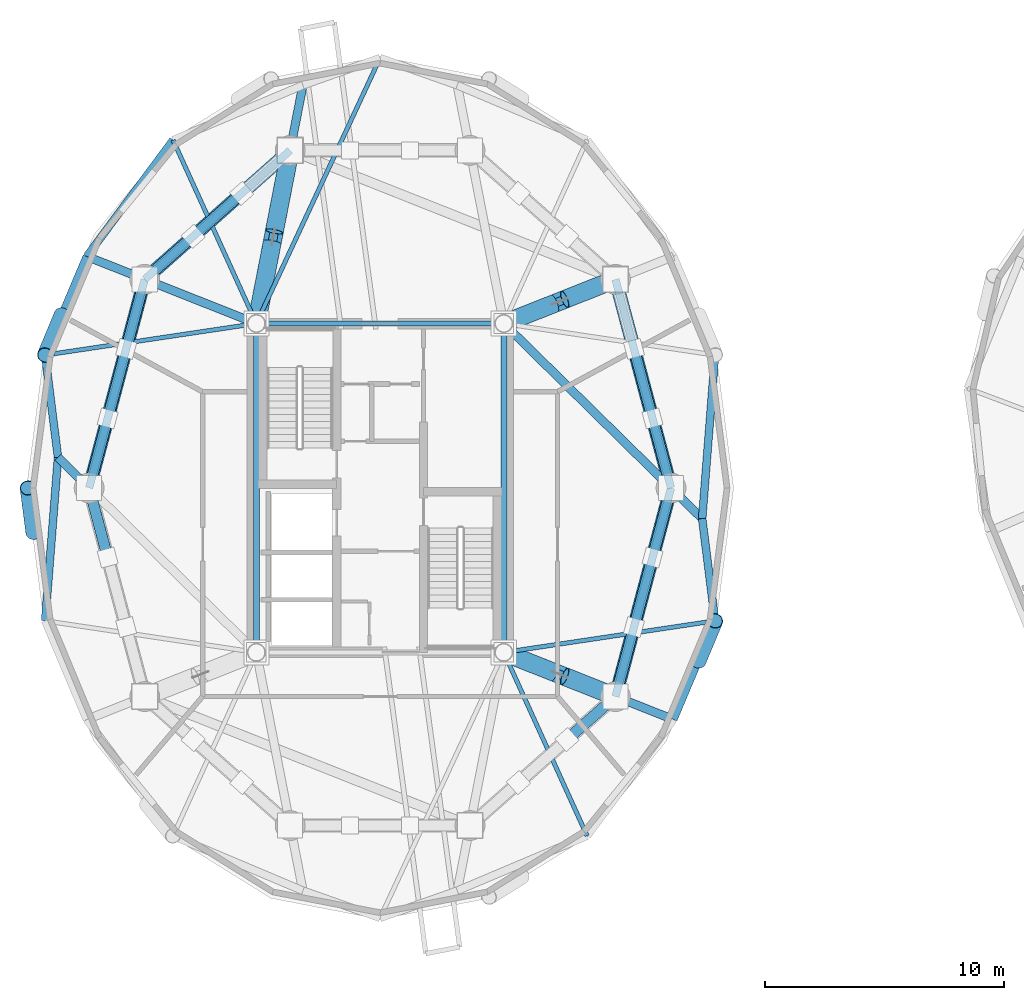
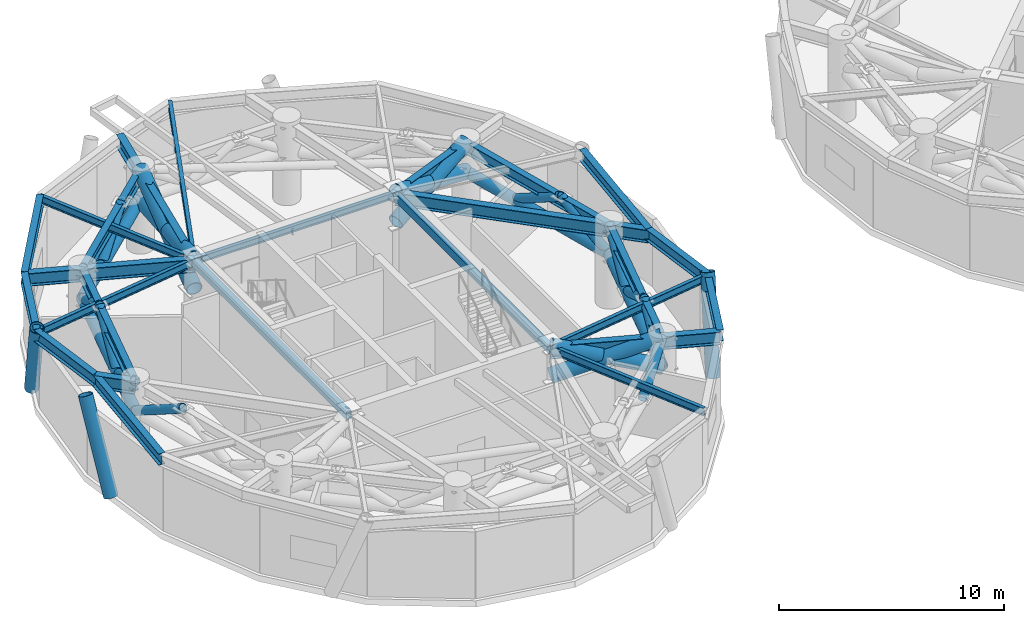
# One storey, part 2 of 16: 28 members, 25 beams.
"""IFC4 building model written with IfcOpenShell, lengths in metres."""

from ifc_helpers import new_model, si_unit, direction, frame, origin, origin_2d, place, context, subcontext, project, spatial, hollow_rectangle, hollow_circle, i_section, extrude, material, material_profile, profile_set, type_object, element, save


model = new_model("IFC4")

# Units and contexts
model_context = context("Model", 3, precision=1e-05, world=origin(), true_north=direction((0.0, 1.0)))
body_context = subcontext(model_context, "Body", "Model", "MODEL_VIEW")
ifc_project = project(units=[si_unit("LENGTHUNIT", "METRE"), si_unit("AREAUNIT", "SQUARE_METRE"), si_unit("VOLUMEUNIT", "CUBIC_METRE"), si_unit("PLANEANGLEUNIT", "RADIAN"), si_unit("MASSUNIT", "GRAM", prefix="KILO")], contexts=[model_context])

# Site, building, storey
site_placement = place(None, origin())
site = spatial("IfcSite", under=ifc_project, at=site_placement, CompositionType="ELEMENT")
building_placement = place(site_placement, origin())
building = spatial("IfcBuilding", under=site, at=building_placement, Name="Cununo Teusaquillo Station Towers", CompositionType="ELEMENT")
storey_placement = place(building_placement, frame((0.0, 0.0, 147.10009765625)))
storey = spatial("IfcBuildingStorey", under=building, at=storey_placement, Name="L46", CompositionType="ELEMENT", Elevation=147.10009765625)

# Beams
ifc_material_1 = material(Name="Steel EN 10025-2 S355J2", Category="steel")
ifc_material_profile_1 = material_profile(ifc_material_1, hollow_rectangle(XDim=0.25, YDim=0.449951171875, WallThickness=0.01611328125, at=origin_2d()), Name="RHS 450x250x16")
ifc_profile_set_1 = profile_set([ifc_material_profile_1], Name="Steel EN 10025-2 S355J2")
beam_type_1 = type_object("IfcBeamType", Name="BM-COUP-1", PredefinedType="USERDEFINED", material=ifc_profile_set_1)
for number, where, z_axis, x_axis, name in (
    (1, (11.324951171875, 17.6201171875, 4.054931640625), (0.0, 1.0, 0.0), (-1.0, 0.0, 0.0), "L46 Tower A Core Beam 1"),
    (2, (21.675048828125, 17.6201171875, 4.054931640625), (0.0, 1.0, 0.0), (-1.0, 0.0, 0.0), "L46 Tower A Core Beam 2"),
):
    element("IfcBeam", number, at=place(storey_placement, frame(where, z_axis=z_axis, x_axis=x_axis)), inside=storey, type_object=beam_type_1, Name=name, ObjectType="COUPLING BEAM", PredefinedType="USERDEFINED", context=body_context, shape_type="SweptSolid", body=[
        extrude(hollow_rectangle(XDim=0.25, YDim=0.449951171875, WallThickness=0.01611328125, at=origin_2d()), origin(), (0.0, 0.0, 1.0), 13.759765625),
    ])
ifc_material_2 = material(Name="Steel ASTM A572 Grade 50", Category="steel")
ifc_material_profile_2 = material_profile(ifc_material_2, i_section(OverallWidth=0.180908203125, OverallDepth=0.4169921875, WebThickness=0.010986328125, FlangeThickness=0.018310546875, FilletRadius=0.012939453125, at=origin_2d()), Name="W16X57")
ifc_profile_set_2 = profile_set([ifc_material_profile_2], Name="Steel ASTM A572 Grade 50")
beam_type_2 = type_object("IfcBeamType", Name="BM-JOIST-1", PredefinedType="JOIST", material=ifc_profile_set_2)
beam_1_placement = place(storey_placement, frame((11.324951171875, 31.3798828125, 4.0712890625), z_axis=(0.422237603969, 0.906485193368, 0.0), x_axis=(-0.906485193368, 0.422237603969, 0.0)))
element("IfcBeam", 3, at=beam_1_placement, inside=storey, type_object=beam_type_2, Name="L46 Tower A Radial Spandrel Joist V05", PredefinedType="JOIST", context=body_context, shape_type="SweptSolid", body=[
    extrude(i_section(OverallWidth=0.180908203125, OverallDepth=0.4169921875, WebThickness=0.010986328125, FlangeThickness=0.018310546875, FilletRadius=0.012939453125, at=origin_2d()), origin(), (0.0, 0.0, 1.0), 12.25634765625),
])
beam_2_placement = place(storey_placement, frame((11.324951171875, 31.3798828125, 4.0712890625), z_axis=(-0.413558514621, 0.910477542274, 0.0), x_axis=(-0.910477542274, -0.413558514621, 0.0)))
element("IfcBeam", 4, at=beam_2_placement, inside=storey, type_object=beam_type_2, Name="L46 Tower A Radial Spandrel Joist V07", PredefinedType="JOIST", context=body_context, shape_type="SweptSolid", body=[
    extrude(i_section(OverallWidth=0.180908203125, OverallDepth=0.4169921875, WebThickness=0.010986328125, FlangeThickness=0.018310546875, FilletRadius=0.012939453125, at=origin_2d()), origin(), (0.0, 0.0, 1.0), 8.428955078125),
])
beam_3_placement = place(storey_placement, frame((11.324951171875, 31.3798828125, 4.0712890625), z_axis=(-0.989018754675, -0.147790063606, 0.0), x_axis=(0.147790063606, -0.989018754675, 0.0)))
element("IfcBeam", 5, at=beam_3_placement, inside=storey, type_object=beam_type_2, Name="L46 Tower A Radial Spandrel Joist V09", PredefinedType="JOIST", context=body_context, shape_type="SweptSolid", body=[
    extrude(i_section(OverallWidth=0.180908203125, OverallDepth=0.4169921875, WebThickness=0.010986328125, FlangeThickness=0.018310546875, FilletRadius=0.012939453125, at=origin_2d()), origin(), (0.0, 0.0, 1.0), 8.93701171875),
])
beam_4_placement = place(storey_placement, frame((21.675048828125, 17.6201171875, 4.0712890625), z_axis=(0.413558514621, -0.910477542274, 0.0), x_axis=(0.910477542274, 0.413558514621, 0.0)))
element("IfcBeam", 6, at=beam_4_placement, inside=storey, type_object=beam_type_2, Name="L46 Tower A Radial Spandrel Joist V17", PredefinedType="JOIST", context=body_context, shape_type="SweptSolid", body=[
    extrude(i_section(OverallWidth=0.180908203125, OverallDepth=0.4169921875, WebThickness=0.010986328125, FlangeThickness=0.018310546875, FilletRadius=0.012939453125, at=origin_2d()), origin(), (0.0, 0.0, 1.0), 8.428955078125),
])
beam_5_placement = place(storey_placement, frame((21.675048828125, 17.6201171875, 4.0712890625), z_axis=(0.989018754675, 0.147790063606, 0.0), x_axis=(-0.147790063606, 0.989018754675, 0.0)))
element("IfcBeam", 7, at=beam_5_placement, inside=storey, type_object=beam_type_2, Name="L46 Tower A Radial Spandrel Joist V19", PredefinedType="JOIST", context=body_context, shape_type="SweptSolid", body=[
    extrude(i_section(OverallWidth=0.180908203125, OverallDepth=0.4169921875, WebThickness=0.010986328125, FlangeThickness=0.018310546875, FilletRadius=0.012939453125, at=origin_2d()), origin(), (0.0, 0.0, 1.0), 8.93701171875),
])
ifc_material_3 = material(Name="Steel ASTM A572 Grade 50", Category="steel")
ifc_material_profile_3 = material_profile(ifc_material_3, i_section(OverallWidth=0.2041015625, OverallDepth=0.35009765625, WebThickness=0.008544921875, FlangeThickness=0.01513671875, FilletRadius=0.011962890625, at=origin_2d()), Name="W14X48")
ifc_profile_set_3 = profile_set([ifc_material_profile_3], Name="Steel ASTM A572 Grade 50")
beam_type_3 = type_object("IfcBeamType", Name="BM-LINTEL-1", PredefinedType="LINTEL", material=ifc_profile_set_3)
beam_6_placement = place(storey_placement, frame((11.324951171875, 31.3798828125, 4.10498046875), z_axis=(1.0, 0.0, 0.0), x_axis=(0.0, 1.0, 0.0)))
element("IfcBeam", 8, at=beam_6_placement, inside=storey, type_object=beam_type_3, Name="L46 Tower A Core Beam 4", PredefinedType="LINTEL", context=body_context, shape_type="SweptSolid", body=[
    extrude(i_section(OverallWidth=0.2041015625, OverallDepth=0.35009765625, WebThickness=0.008544921875, FlangeThickness=0.01513671875, FilletRadius=0.011962890625, at=origin_2d()), origin(), (0.0, 0.0, 1.0), 10.35009765625),
])
ifc_material_4 = material(Name="Steel ASTM A572 Grade 50", Category="steel")
ifc_material_profile_4 = material_profile(ifc_material_4, i_section(OverallWidth=0.35498046875, OverallDepth=0.696044921875, WebThickness=0.015380859375, FlangeThickness=0.02490234375, FilletRadius=0.01806640625, at=origin_2d()), Name="W27X146")
ifc_profile_set_4 = profile_set([ifc_material_profile_4], Name="Steel ASTM A572 Grade 50")
beam_type_4 = type_object("IfcBeamType", Name="BM-PLNT-G1", PredefinedType="BEAM", material=ifc_profile_set_4)
beam_7_placement = place(storey_placement, frame((21.675048828125, 31.3798828125, 3.931884765625), z_axis=(0.71304866969, -0.701114537471, 0.0), x_axis=(0.701114537471, 0.71304866969, 0.0)))
element("IfcBeam", 9, at=beam_7_placement, inside=storey, type_object=beam_type_4, Name="L46 Tower A Continuous Overhanging Radial Girder 01", PredefinedType="BEAM", context=body_context, shape_type="SweptSolid", body=[
    extrude(i_section(OverallWidth=0.35498046875, OverallDepth=0.696044921875, WebThickness=0.015380859375, FlangeThickness=0.02490234375, FilletRadius=0.01806640625, at=origin_2d()), origin(), (0.0, 0.0, 1.0), 11.64013671875),
])
beam_8_placement = place(storey_placement, frame((21.675048828125, 31.3798828125, 3.931884765625), z_axis=(0.929864104313, 0.367903176814, 0.0), x_axis=(-0.367903176814, 0.929864104313, 0.0)))
element("IfcBeam", 10, at=beam_8_placement, inside=storey, type_object=beam_type_4, Name="L46 Tower A Radial Girder 02A", PredefinedType="BEAM", context=body_context, shape_type="SweptSolid", body=[
    extrude(i_section(OverallWidth=0.35498046875, OverallDepth=0.696044921875, WebThickness=0.015380859375, FlangeThickness=0.02490234375, FilletRadius=0.01806640625, at=origin_2d()), origin(), (0.0, 0.0, 1.0), 5.02490234375),
])
beam_9_placement = place(storey_placement, frame((11.324951171875, 31.3798828125, 3.931884765625), z_axis=(0.191552706487, 0.981482328235, 0.0), x_axis=(-0.981482328235, 0.191552706487, 0.0)))
element("IfcBeam", 11, at=beam_9_placement, inside=storey, type_object=beam_type_4, Name="L46 Tower A Continuous Overhanging Radial Girder 04", PredefinedType="BEAM", context=body_context, shape_type="SweptSolid", body=[
    extrude(i_section(OverallWidth=0.35498046875, OverallDepth=0.696044921875, WebThickness=0.015380859375, FlangeThickness=0.02490234375, FilletRadius=0.01806640625, at=origin_2d()), origin(), (0.0, 0.0, 1.0), 10.159423828125),
])
beam_10_placement = place(storey_placement, frame((11.324951171875, 31.3798828125, 3.931884765625), z_axis=(-0.929862250459, 0.367907862341, 0.0), x_axis=(-0.367907862341, -0.929862250459, 0.0)))
element("IfcBeam", 12, at=beam_10_placement, inside=storey, type_object=beam_type_4, Name="L46 Tower A Continuous Overhanging Radial Girder 05", PredefinedType="BEAM", context=body_context, shape_type="SweptSolid", body=[
    extrude(i_section(OverallWidth=0.35498046875, OverallDepth=0.696044921875, WebThickness=0.015380859375, FlangeThickness=0.02490234375, FilletRadius=0.01806640625, at=origin_2d()), origin(), (0.0, 0.0, 1.0), 7.632080078125),
])
beam_11_placement = place(storey_placement, frame((4.327880859375, 24.5, 3.931884765625), z_axis=(-0.713027019349, 0.701136555657, 0.0), x_axis=(-0.701136555657, -0.713027019349, 0.0)))
element("IfcBeam", 13, at=beam_11_placement, inside=storey, type_object=beam_type_4, Name="L46 Tower A Perimeter Overhang Girder 06B", PredefinedType="BEAM", context=body_context, shape_type="SweptSolid", body=[
    extrude(i_section(OverallWidth=0.35498046875, OverallDepth=0.696044921875, WebThickness=0.015380859375, FlangeThickness=0.02490234375, FilletRadius=0.01806640625, at=origin_2d()), origin(), (0.0, 0.0, 1.0), 1.827392578125),
])
beam_12_placement = place(storey_placement, frame((21.675048828125, 17.6201171875, 3.931884765625), z_axis=(0.929862250459, -0.367907862341, 0.0), x_axis=(0.367907862341, 0.929862250459, 0.0)))
element("IfcBeam", 14, at=beam_12_placement, inside=storey, type_object=beam_type_4, Name="L46 Tower A Continuous Overhanging Radial Girder 10", PredefinedType="BEAM", context=body_context, shape_type="SweptSolid", body=[
    extrude(i_section(OverallWidth=0.35498046875, OverallDepth=0.696044921875, WebThickness=0.015380859375, FlangeThickness=0.02490234375, FilletRadius=0.01806640625, at=origin_2d()), origin(), (0.0, 0.0, 1.0), 7.632080078125),
])
ifc_material_5 = material(Name="Steel ASTM A572 Grade 50", Category="steel")
ifc_material_profile_5 = material_profile(ifc_material_5, i_section(OverallWidth=0.324951171875, OverallDepth=0.615966796875, WebThickness=0.013916015625, FlangeThickness=0.021484375, FilletRadius=0.01611328125, at=origin_2d()), Name="W24X117")
ifc_profile_set_5 = profile_set([ifc_material_profile_5], Name="Steel ASTM A572 Grade 50")
beam_type_5 = type_object("IfcBeamType", Name="BM-PLNT-G2", PredefinedType="BEAM", material=ifc_profile_set_5)
beam_13_placement = place(storey_placement, frame((28.672119140625, 24.5, 3.971923828125), z_axis=(-0.257363196347, 0.966314744359, 0.0), x_axis=(-0.966314744359, -0.257363196347, 0.0)))
element("IfcBeam", 15, at=beam_13_placement, inside=storey, type_object=beam_type_5, Name="L46 Tower A Structural Column Ring Girder 01", PredefinedType="BEAM", context=body_context, shape_type="SweptSolid", body=[
    extrude(i_section(OverallWidth=0.324951171875, OverallDepth=0.615966796875, WebThickness=0.013916015625, FlangeThickness=0.021484375, FilletRadius=0.01611328125, at=origin_2d()), origin(), (0.0, 0.0, 1.0), 9.03271484375),
])
beam_14_placement = place(storey_placement, frame((12.738525390625, 38.623291015625, 3.971923828125), z_axis=(-0.74832120039, -0.66333655187, 0.0), x_axis=(0.66333655187, -0.74832120039, 0.0)))
element("IfcBeam", 16, at=beam_14_placement, inside=storey, type_object=beam_type_5, Name="L46 Tower A Structural Column Ring Girder 04", PredefinedType="BEAM", context=body_context, shape_type="SweptSolid", body=[
    extrude(i_section(OverallWidth=0.324951171875, OverallDepth=0.615966796875, WebThickness=0.013916015625, FlangeThickness=0.021484375, FilletRadius=0.01611328125, at=origin_2d()), origin(), (0.0, 0.0, 1.0), 8.1328125),
])
for number, where, z_axis, x_axis, name in (
    (17, (6.652587890625, 33.228515625, 3.971923828125), (-0.257363196347, -0.966314744359, 0.0), (0.966314744359, -0.257363196347, 0.0), "L46 Tower A Structural Column Ring Girder 05"),
    (18, (26.347412109375, 15.771484375, 3.971923828125), (0.257363196347, 0.966314744359, 0.0), (-0.966314744359, 0.257363196347, 0.0), "L46 Tower A Structural Column Ring Girder 10"),
):
    element("IfcBeam", number, at=place(storey_placement, frame(where, z_axis=z_axis, x_axis=x_axis)), inside=storey, type_object=beam_type_5, Name=name, PredefinedType="BEAM", context=body_context, shape_type="SweptSolid", body=[
        extrude(i_section(OverallWidth=0.324951171875, OverallDepth=0.615966796875, WebThickness=0.013916015625, FlangeThickness=0.021484375, FilletRadius=0.01611328125, at=origin_2d()), origin(), (0.0, 0.0, 1.0), 9.03271484375),
    ])
beam_15_placement = place(storey_placement, frame((29.97509765625, 23.21875, 3.971923828125), z_axis=(0.078527541639, 0.996911944559, 0.0), x_axis=(-0.996911944559, 0.078527541639, 0.0)))
element("IfcBeam", 19, at=beam_15_placement, inside=storey, type_object=beam_type_5, Name="L46 Tower A Spandrel Ring Beam 01", PredefinedType="BEAM", context=body_context, shape_type="SweptSolid", body=[
    extrude(i_section(OverallWidth=0.324951171875, OverallDepth=0.615966796875, WebThickness=0.013916015625, FlangeThickness=0.021484375, FilletRadius=0.01611328125, at=origin_2d()), origin(), (0.0, 0.0, 1.0), 6.861572265625),
])
beam_16_placement = place(storey_placement, frame((7.839111328125, 39.05419921875, 3.971923828125), z_axis=(-0.595872908853, -0.803078748626, 0.0), x_axis=(0.803078748626, -0.595872908853, 0.0)))
element("IfcBeam", 20, at=beam_16_placement, inside=storey, type_object=beam_type_5, Name="L46 Tower A Spandrel Ring Beam 08", PredefinedType="BEAM", context=body_context, shape_type="SweptSolid", body=[
    extrude(i_section(OverallWidth=0.324951171875, OverallDepth=0.615966796875, WebThickness=0.013916015625, FlangeThickness=0.021484375, FilletRadius=0.01611328125, at=origin_2d()), origin(), (0.0, 0.0, 1.0), 6.059814453125),
])
beam_17_placement = place(storey_placement, frame((4.228271484375, 34.187744140625, 3.971923828125), z_axis=(-0.388777827816, -0.921331536744, 0.0), x_axis=(0.921331536744, -0.388777827816, 0.0)))
element("IfcBeam", 21, at=beam_17_placement, inside=storey, type_object=beam_type_5, Name="L46 Tower A Spandrel Ring Beam 09", PredefinedType="BEAM", context=body_context, shape_type="SweptSolid", body=[
    extrude(i_section(OverallWidth=0.324951171875, OverallDepth=0.615966796875, WebThickness=0.013916015625, FlangeThickness=0.021484375, FilletRadius=0.01611328125, at=origin_2d()), origin(), (0.0, 0.0, 1.0), 4.481201171875),
])
beam_18_placement = place(storey_placement, frame((2.486083984375, 30.05908203125, 3.971923828125), z_axis=(0.124968535363, -0.992160705314, 0.0), x_axis=(0.992160705314, 0.124968535363, 0.0)))
element("IfcBeam", 22, at=beam_18_placement, inside=storey, type_object=beam_type_5, Name="L46 Tower A Spandrel Ring Beam 10", PredefinedType="BEAM", context=body_context, shape_type="SweptSolid", body=[
    extrude(i_section(OverallWidth=0.324951171875, OverallDepth=0.615966796875, WebThickness=0.013916015625, FlangeThickness=0.021484375, FilletRadius=0.01611328125, at=origin_2d()), origin(), (0.0, 0.0, 1.0), 4.3115234375),
])
beam_19_placement = place(storey_placement, frame((3.02490234375, 25.78125, 3.971923828125), z_axis=(-0.078527541639, -0.996911944559, 0.0), x_axis=(0.996911944559, -0.078527541639, 0.0)))
element("IfcBeam", 23, at=beam_19_placement, inside=storey, type_object=beam_type_5, Name="L46 Tower A Spandrel Ring Beam 11", PredefinedType="BEAM", context=body_context, shape_type="SweptSolid", body=[
    extrude(i_section(OverallWidth=0.324951171875, OverallDepth=0.615966796875, WebThickness=0.013916015625, FlangeThickness=0.021484375, FilletRadius=0.01611328125, at=origin_2d()), origin(), (0.0, 0.0, 1.0), 6.861572265625),
])
beam_20_placement = place(storey_placement, frame((28.771728515625, 14.812255859375, 3.971923828125), z_axis=(0.388777827816, 0.921331536744, 0.0), x_axis=(-0.921331536744, 0.388777827816, 0.0)))
element("IfcBeam", 24, at=beam_20_placement, inside=storey, type_object=beam_type_5, Name="L46 Tower A Spandrel Ring Beam 19", PredefinedType="BEAM", context=body_context, shape_type="SweptSolid", body=[
    extrude(i_section(OverallWidth=0.324951171875, OverallDepth=0.615966796875, WebThickness=0.013916015625, FlangeThickness=0.021484375, FilletRadius=0.01611328125, at=origin_2d()), origin(), (0.0, 0.0, 1.0), 4.481201171875),
])
beam_21_placement = place(storey_placement, frame((30.513916015625, 18.94091796875, 3.971923828125), z_axis=(-0.124968535363, 0.992160705314, 0.0), x_axis=(-0.992160705314, -0.124968535363, 0.0)))
element("IfcBeam", 25, at=beam_21_placement, inside=storey, type_object=beam_type_5, Name="L46 Tower A Spandrel Ring Beam 20", PredefinedType="BEAM", context=body_context, shape_type="SweptSolid", body=[
    extrude(i_section(OverallWidth=0.324951171875, OverallDepth=0.615966796875, WebThickness=0.013916015625, FlangeThickness=0.021484375, FilletRadius=0.01611328125, at=origin_2d()), origin(), (0.0, 0.0, 1.0), 4.3115234375),
])

# Members
ifc_material_6 = material(Name="Steel EN 10025-2 S355J2", Category="steel")
ifc_material_profile_6 = material_profile(ifc_material_6, hollow_circle(Radius=0.279541015625, WallThickness=0.02001953125, at=origin_2d()), Name="CHS 559x20")
ifc_profile_set_6 = profile_set([ifc_material_profile_6], Name="Steel EN 10025-2 S355J2")
member_type_1 = type_object("IfcMemberType", Name="MBR-BELT-CH", PredefinedType="CHORD", material=ifc_profile_set_6)
member_1_placement = place(storey_placement, frame((28.672119140625, 24.5, 2.579833984375), z_axis=(-0.257363196347, 0.966314744359, 0.0), x_axis=(-0.966314744359, -0.257363196347, 0.0)))
element("IfcMember", 26, at=member_1_placement, inside=storey, type_object=member_type_1, Name="L46 Tower A Belt Truss Lower Chord 01", PredefinedType="CHORD", context=body_context, shape_type="SweptSolid", body=[
    extrude(hollow_circle(Radius=0.279541015625, WallThickness=0.02001953125, at=origin_2d()), origin(), (0.0, 0.0, 1.0), 9.03271484375),
])
member_2_placement = place(storey_placement, frame((12.738525390625, 38.623291015625, 2.579833984375), z_axis=(-0.74832120039, -0.66333655187, 0.0), x_axis=(0.66333655187, -0.74832120039, 0.0)))
element("IfcMember", 27, at=member_2_placement, inside=storey, type_object=member_type_1, Name="L46 Tower A Belt Truss Lower Chord 04", PredefinedType="CHORD", context=body_context, shape_type="SweptSolid", body=[
    extrude(hollow_circle(Radius=0.279541015625, WallThickness=0.02001953125, at=origin_2d()), origin(), (0.0, 0.0, 1.0), 8.1328125),
])
for number, where, z_axis, x_axis, name in (
    (28, (6.652587890625, 33.228515625, 2.579833984375), (-0.257363196347, -0.966314744359, 0.0), (0.966314744359, -0.257363196347, 0.0), "L46 Tower A Belt Truss Lower Chord 05"),
    (29, (26.347412109375, 15.771484375, 2.579833984375), (0.257363196347, 0.966314744359, 0.0), (-0.966314744359, 0.257363196347, 0.0), "L46 Tower A Belt Truss Lower Chord 10"),
):
    element("IfcMember", number, at=place(storey_placement, frame(where, z_axis=z_axis, x_axis=x_axis)), inside=storey, type_object=member_type_1, Name=name, PredefinedType="CHORD", context=body_context, shape_type="SweptSolid", body=[
        extrude(hollow_circle(Radius=0.279541015625, WallThickness=0.02001953125, at=origin_2d()), origin(), (0.0, 0.0, 1.0), 9.03271484375),
    ])
ifc_material_7 = material(Name="Steel EN 10025-2 S355J2", Category="steel")
ifc_material_profile_7 = material_profile(ifc_material_7, hollow_circle(Radius=0.228515625, WallThickness=0.01611328125, at=origin_2d()), Name="CHS 457x16")
ifc_profile_set_7 = profile_set([ifc_material_profile_7], Name="Steel EN 10025-2 S355J2")
member_type_2 = type_object("IfcMemberType", Name="MBR-BELT-WB", PredefinedType="BRACE", material=ifc_profile_set_7)
member_3_placement = place(storey_placement, frame((28.672119140625, 24.5, 2.579833984375), z_axis=(-0.226641644254, 0.850941548387, 0.473848125795), x_axis=(-0.96631295405, -0.257369918281, 0.0)))
element("IfcMember", 30, at=member_3_placement, inside=storey, type_object=member_type_2, Name="L46 Tower A Belt Truss Warren Brace 01A", PredefinedType="BRACE", context=body_context, shape_type="SweptSolid", body=[
    extrude(hollow_circle(Radius=0.228515625, WallThickness=0.01611328125, at=origin_2d()), origin(), (0.0, 0.0, 1.0), 3.4189453125),
])
member_4_placement = place(storey_placement, frame((27.897216796875, 27.409423828125, 4.199951171875), z_axis=(-0.226627873718, 0.850961247311, -0.47381933522), x_axis=(-0.966318324558, -0.257349753494, 0.0)))
element("IfcMember", 31, at=member_4_placement, inside=storey, type_object=member_type_2, Name="L46 Tower A Belt Truss Warren Brace 01B", PredefinedType="BRACE", context=body_context, shape_type="SweptSolid", body=[
    extrude(hollow_circle(Radius=0.228515625, WallThickness=0.01611328125, at=origin_2d()), origin(), (0.0, 0.0, 1.0), 3.419189453125),
])
member_5_placement = place(storey_placement, frame((10.7099609375, 36.824951171875, 4.199951171875), z_axis=(-0.642356120699, -0.56937692008, -0.513019041636), x_axis=(0.663317831046, -0.748337794727, 0.0)))
element("IfcMember", 32, at=member_5_placement, inside=storey, type_object=member_type_2, Name="L46 Tower A Belt Truss Warren Brace 04B", PredefinedType="BRACE", context=body_context, shape_type="SweptSolid", body=[
    extrude(hollow_circle(Radius=0.228515625, WallThickness=0.01611328125, at=origin_2d()), origin(), (0.0, 0.0, 1.0), 3.157958984375),
])
member_6_placement = place(storey_placement, frame((8.681396484375, 35.02685546875, 2.579833984375), z_axis=(-0.642373252404, -0.569400887751, 0.512970987118), x_axis=(0.663323560468, -0.748332716195, 0.0)))
element("IfcMember", 33, at=member_6_placement, inside=storey, type_object=member_type_2, Name="L46 Tower A Belt Truss Warren Brace 04C", PredefinedType="BRACE", context=body_context, shape_type="SweptSolid", body=[
    extrude(hollow_circle(Radius=0.228515625, WallThickness=0.01611328125, at=origin_2d()), origin(), (0.0, 0.0, 1.0), 3.158203125),
])
member_7_placement = place(storey_placement, frame((6.652587890625, 33.228515625, 2.579833984375), z_axis=(-0.226641644254, -0.850941548387, 0.473848125795), x_axis=(0.96631295405, -0.257369918281, 0.0)))
element("IfcMember", 34, at=member_7_placement, inside=storey, type_object=member_type_2, Name="L46 Tower A Belt Truss Warren Brace 05A", PredefinedType="BRACE", context=body_context, shape_type="SweptSolid", body=[
    extrude(hollow_circle(Radius=0.228515625, WallThickness=0.01611328125, at=origin_2d()), origin(), (0.0, 0.0, 1.0), 3.4189453125),
])
member_8_placement = place(storey_placement, frame((5.877685546875, 30.319091796875, 4.199951171875), z_axis=(-0.226627873718, -0.850961247311, -0.47381933522), x_axis=(0.966318324558, -0.257349753494, 0.0)))
element("IfcMember", 35, at=member_8_placement, inside=storey, type_object=member_type_2, Name="L46 Tower A Belt Truss Warren Brace 05B", PredefinedType="BRACE", context=body_context, shape_type="SweptSolid", body=[
    extrude(hollow_circle(Radius=0.228515625, WallThickness=0.01611328125, at=origin_2d()), origin(), (0.0, 0.0, 1.0), 3.419189453125),
])
for number, where, z_axis, x_axis, name in (
    (36, (5.102783203125, 27.409423828125, 2.579833984375), (-0.226641644254, -0.850941548387, 0.473848125795), (0.96631295405, -0.257369918281, 0.0), "L46 Tower A Belt Truss Warren Brace 05C"),
    (37, (4.327880859375, 24.5, 2.579833984375), (0.226641644254, -0.850941548387, 0.473848125795), (0.96631295405, 0.257369918281, 0.0), "L46 Tower A Belt Truss Warren Brace 06A"),
):
    element("IfcMember", number, at=place(storey_placement, frame(where, z_axis=z_axis, x_axis=x_axis)), inside=storey, type_object=member_type_2, Name=name, PredefinedType="BRACE", context=body_context, shape_type="SweptSolid", body=[
        extrude(hollow_circle(Radius=0.228515625, WallThickness=0.01611328125, at=origin_2d()), origin(), (0.0, 0.0, 1.0), 3.4189453125),
    ])
member_9_placement = place(storey_placement, frame((24.318603515625, 13.97314453125, 2.579833984375), z_axis=(0.642373252404, 0.569400887751, 0.512970987118), x_axis=(-0.663323560468, 0.748332716195, 0.0)))
element("IfcMember", 38, at=member_9_placement, inside=storey, type_object=member_type_2, Name="L46 Tower A Belt Truss Warren Brace 09C", PredefinedType="BRACE", context=body_context, shape_type="SweptSolid", body=[
    extrude(hollow_circle(Radius=0.228515625, WallThickness=0.01611328125, at=origin_2d()), origin(), (0.0, 0.0, 1.0), 3.158203125),
])
member_10_placement = place(storey_placement, frame((26.347412109375, 15.771484375, 2.579833984375), z_axis=(0.226641644254, 0.850941548387, 0.473848125795), x_axis=(-0.96631295405, 0.257369918281, 0.0)))
element("IfcMember", 39, at=member_10_placement, inside=storey, type_object=member_type_2, Name="L46 Tower A Belt Truss Warren Brace 10A", PredefinedType="BRACE", context=body_context, shape_type="SweptSolid", body=[
    extrude(hollow_circle(Radius=0.228515625, WallThickness=0.01611328125, at=origin_2d()), origin(), (0.0, 0.0, 1.0), 3.4189453125),
])
member_11_placement = place(storey_placement, frame((27.122314453125, 18.680908203125, 4.199951171875), z_axis=(0.226627873718, 0.850961247311, -0.47381933522), x_axis=(-0.966318324558, 0.257349753494, 0.0)))
element("IfcMember", 40, at=member_11_placement, inside=storey, type_object=member_type_2, Name="L46 Tower A Belt Truss Warren Brace 10B", PredefinedType="BRACE", context=body_context, shape_type="SweptSolid", body=[
    extrude(hollow_circle(Radius=0.228515625, WallThickness=0.01611328125, at=origin_2d()), origin(), (0.0, 0.0, 1.0), 3.419189453125),
])
member_12_placement = place(storey_placement, frame((27.897216796875, 21.590576171875, 2.579833984375), z_axis=(0.226641644254, 0.850941548387, 0.473848125795), x_axis=(-0.96631295405, 0.257369918281, 0.0)))
element("IfcMember", 41, at=member_12_placement, inside=storey, type_object=member_type_2, Name="L46 Tower A Belt Truss Warren Brace 10C", PredefinedType="BRACE", context=body_context, shape_type="SweptSolid", body=[
    extrude(hollow_circle(Radius=0.228515625, WallThickness=0.01611328125, at=origin_2d()), origin(), (0.0, 0.0, 1.0), 3.4189453125),
])
ifc_material_8 = material(Name="Steel EN 10025-2 S355J2", Category="steel")
ifc_material_profile_8 = material_profile(ifc_material_8, hollow_circle(Radius=0.330078125, WallThickness=0.02490234375, at=origin_2d()), Name="CHS 660x25")
ifc_profile_set_8 = profile_set([ifc_material_profile_8], Name="Steel EN 10025-2 S355J2")
member_type_3 = type_object("IfcMemberType", Name="MBR-DIAG-Z2", PredefinedType="BRACE", material=ifc_profile_set_8)
member_13_placement = place(storey_placement, frame((3.183837890625, 31.73095703125, -0.14013671875), z_axis=(-0.14383766087, -0.34464671156, 0.927647223639), x_axis=(0.922853492417, -0.385151180101, 0.0)))
element("IfcMember", 42, at=member_13_placement, inside=storey, type_object=member_type_3, Name="L46 Tower A Folded-Zigzag Diagrid Tube C08", PredefinedType="BRACE", context=body_context, shape_type="SweptSolid", body=[
    extrude(hollow_circle(Radius=0.330078125, WallThickness=0.02490234375, at=origin_2d()), origin(), (0.0, 0.0, 1.0), 4.85107421875),
])
member_14_placement = place(storey_placement, frame((2.00537109375, 22.64697265625, -0.14013671875), z_axis=(-0.049353940951, 0.380300925704, 0.923545014832), x_axis=(-0.991683988528, -0.1286968022, 0.0)))
element("IfcMember", 43, at=member_14_placement, inside=storey, type_object=member_type_3, Name="L46 Tower A Folded-Zigzag Diagrid Tube C10", PredefinedType="BRACE", context=body_context, shape_type="SweptSolid", body=[
    extrude(hollow_circle(Radius=0.330078125, WallThickness=0.02490234375, at=origin_2d()), origin(), (0.0, 0.0, 1.0), 4.87255859375),
])
member_15_placement = place(storey_placement, frame((29.816162109375, 17.26904296875, -0.14013671875), z_axis=(0.14383766087, 0.34464671156, 0.927647223639), x_axis=(-0.922853492417, 0.385151180101, 0.0)))
element("IfcMember", 44, at=member_15_placement, inside=storey, type_object=member_type_3, Name="L46 Tower A Folded-Zigzag Diagrid Tube C18", PredefinedType="BRACE", context=body_context, shape_type="SweptSolid", body=[
    extrude(hollow_circle(Radius=0.330078125, WallThickness=0.02490234375, at=origin_2d()), origin(), (0.0, 0.0, 1.0), 4.85107421875),
])
ifc_material_9 = material(Name="Steel EN 10025-2 S355J2", Category="steel")
ifc_material_profile_9 = material_profile(ifc_material_9, hollow_circle(Radius=0.3798828125, WallThickness=0.031982421875, at=origin_2d()), Name="CHS 760x32")
ifc_profile_set_9 = profile_set([ifc_material_profile_9], Name="Steel EN 10025-2 S355J2")
member_type_4 = type_object("IfcMemberType", Name="MBR-OUTR-1", PredefinedType="STRUT", material=ifc_profile_set_9)
member_16_placement = place(storey_placement, frame((11.324951171875, 31.3798828125, 2.579833984375), z_axis=(0.187084946746, 0.958656871333, 0.214420674717), x_axis=(-0.981484828446, 0.191539895403, 0.0)))
element("IfcMember", 45, at=member_16_placement, inside=storey, type_object=member_type_4, Name="L46 Tower A Outrigger Continuous Diagonal 1A", PredefinedType="STRUT", context=body_context, shape_type="SweptSolid", body=[
    extrude(hollow_circle(Radius=0.3798828125, WallThickness=0.031982421875, at=origin_2d()), origin(), (0.0, 0.0, 1.0), 7.555908203125),
])
for number, where, z_axis, x_axis, name in (
    (46, (11.324951171875, 31.3798828125, 4.199951171875), (0.187080945089, 0.958660453405, -0.214408150643), (-0.981485733178, 0.191535259332, 0.0), "L46 Tower A Outrigger Split Upper Strut 1B1"),
    (47, (12.07666015625, 35.231689453125, 3.33837890625), (0.187080945089, 0.958660453405, -0.214408150643), (-0.981485733178, 0.191535259332, 0.0), "L46 Tower A Outrigger Split Lower Strut 1B2"),
):
    element("IfcMember", number, at=place(storey_placement, frame(where, z_axis=z_axis, x_axis=x_axis)), inside=storey, type_object=member_type_4, Name=name, PredefinedType="STRUT", context=body_context, shape_type="SweptSolid", body=[
        extrude(hollow_circle(Radius=0.3798828125, WallThickness=0.031982421875, at=origin_2d()), origin(), (0.0, 0.0, 1.0), 3.537841796875),
    ])
member_17_placement = place(storey_placement, frame((21.675048828125, 31.3798828125, 2.579833984375), z_axis=(0.884999803428, 0.350152498253, 0.306868988168), x_axis=(-0.367903176814, 0.929864104313, 0.0)))
element("IfcMember", 48, at=member_17_placement, inside=storey, type_object=member_type_4, Name="L46 Tower A Outrigger Continuous Diagonal 2A", PredefinedType="STRUT", context=body_context, shape_type="SweptSolid", body=[
    extrude(hollow_circle(Radius=0.3798828125, WallThickness=0.031982421875, at=origin_2d()), origin(), (0.0, 0.0, 1.0), 5.279541015625),
])
member_18_placement = place(storey_placement, frame((21.675048828125, 31.3798828125, 4.199951171875), z_axis=(0.885002112773, 0.350175568705, -0.306836000934), x_axis=(-0.367923305466, 0.929856140107, 0.0)))
element("IfcMember", 49, at=member_18_placement, inside=storey, type_object=member_type_4, Name="L46 Tower A Outrigger Split Upper Strut 2B1", PredefinedType="STRUT", context=body_context, shape_type="SweptSolid", body=[
    extrude(hollow_circle(Radius=0.3798828125, WallThickness=0.031982421875, at=origin_2d()), origin(), (0.0, 0.0, 1.0), 2.399658203125),
])
member_19_placement = place(storey_placement, frame((24.2236328125, 32.38818359375, 3.31640625), z_axis=(0.884974483004, 0.350164636223, -0.306928154411), x_axis=(-0.367923305466, 0.929856140107, 0.0)))
element("IfcMember", 50, at=member_19_placement, inside=storey, type_object=member_type_4, Name="L46 Tower A Outrigger Split Lower Strut 2B2", PredefinedType="STRUT", context=body_context, shape_type="SweptSolid", body=[
    extrude(hollow_circle(Radius=0.3798828125, WallThickness=0.031982421875, at=origin_2d()), origin(), (0.0, 0.0, 1.0), 2.39990234375),
])
member_20_placement = place(storey_placement, frame((21.675048828125, 17.6201171875, 2.579833984375), z_axis=(0.884999803428, -0.350152498253, 0.306868988168), x_axis=(0.367903176814, 0.929864104313, 0.0)))
element("IfcMember", 51, at=member_20_placement, inside=storey, type_object=member_type_4, Name="L46 Tower A Outrigger Continuous Diagonal 4A", PredefinedType="STRUT", context=body_context, shape_type="SweptSolid", body=[
    extrude(hollow_circle(Radius=0.3798828125, WallThickness=0.031982421875, at=origin_2d()), origin(), (0.0, 0.0, 1.0), 5.279541015625),
])
member_21_placement = place(storey_placement, frame((21.675048828125, 17.6201171875, 4.199951171875), z_axis=(0.885002112773, -0.350175568705, -0.306836000934), x_axis=(0.367923305466, 0.929856140107, 0.0)))
element("IfcMember", 52, at=member_21_placement, inside=storey, type_object=member_type_4, Name="L46 Tower A Outrigger Split Upper Strut 4B1", PredefinedType="STRUT", context=body_context, shape_type="SweptSolid", body=[
    extrude(hollow_circle(Radius=0.3798828125, WallThickness=0.031982421875, at=origin_2d()), origin(), (0.0, 0.0, 1.0), 2.399658203125),
])
member_22_placement = place(storey_placement, frame((24.2236328125, 16.61181640625, 3.31640625), z_axis=(0.884974483004, -0.350164636223, -0.306928154411), x_axis=(0.367923305466, 0.929856140107, 0.0)))
element("IfcMember", 53, at=member_22_placement, inside=storey, type_object=member_type_4, Name="L46 Tower A Outrigger Split Lower Strut 4B2", PredefinedType="STRUT", context=body_context, shape_type="SweptSolid", body=[
    extrude(hollow_circle(Radius=0.3798828125, WallThickness=0.031982421875, at=origin_2d()), origin(), (0.0, 0.0, 1.0), 2.39990234375),
])

save(model, "model.ifc")
